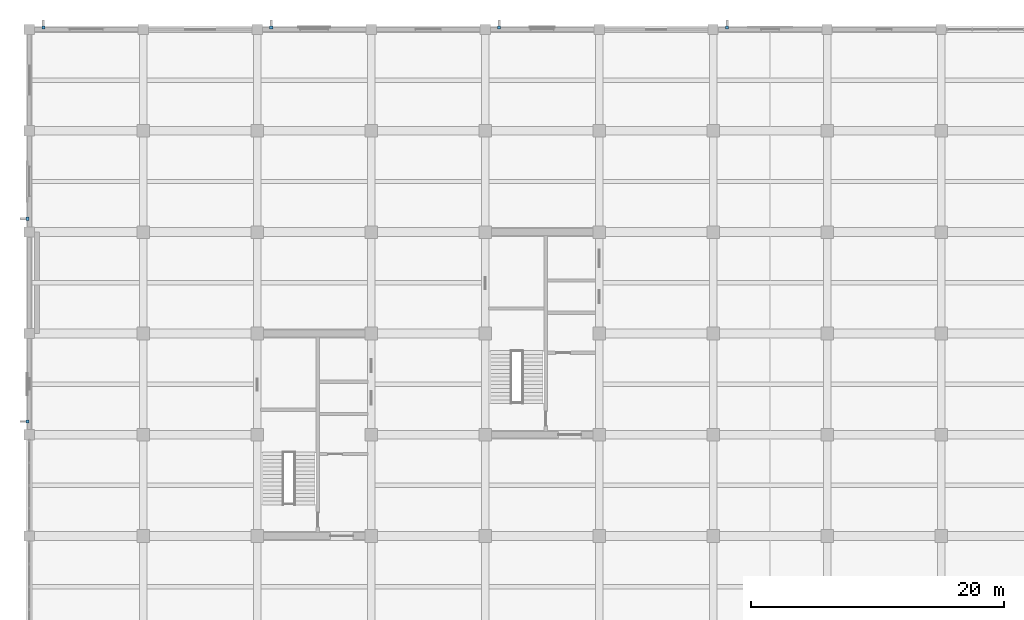
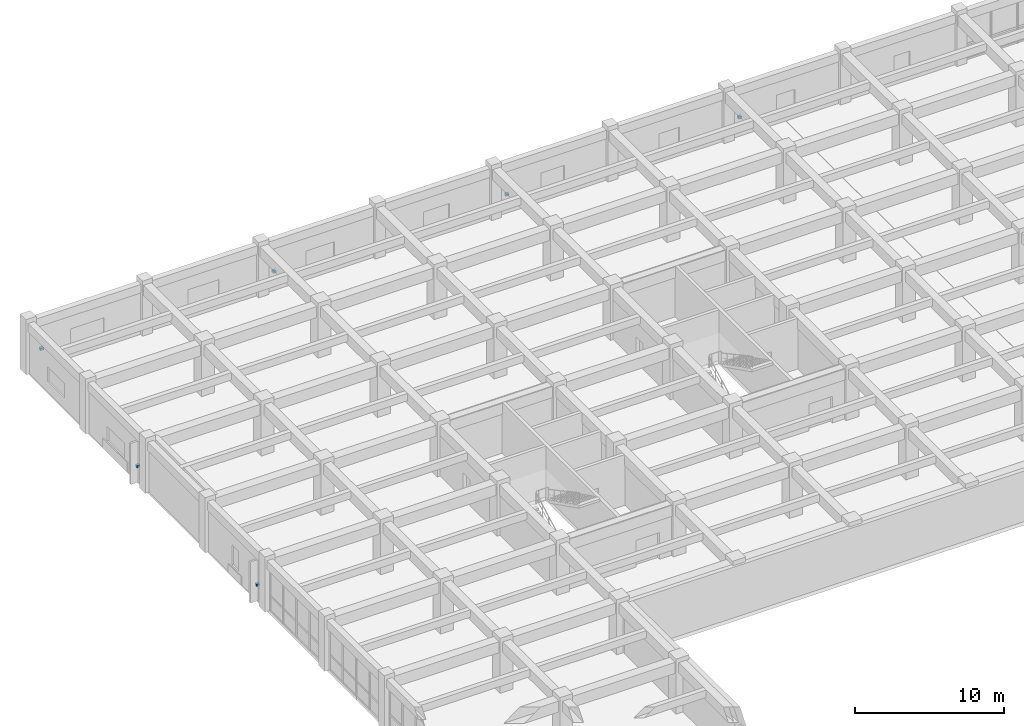
# One storey, part 38 of 50: 6 discrete accessories.
"""IFC4 building model written with IfcOpenShell, lengths in metres."""

from ifc_helpers import new_model, si_unit, direction, frame, origin, origin_2d, place, context, subcontext, project, spatial, rectangle, extrude, material, layer, layer_set, type_object, element, save


model = new_model("IFC4")

# Units and contexts
model_context = context("Model", 3, precision=1e-05, world=origin(), true_north=direction((0.0, 1.0)))
body_context = subcontext(model_context, "Body", "Model", "MODEL_VIEW")
ifc_project = project(units=[si_unit("LENGTHUNIT", "METRE"), si_unit("AREAUNIT", "SQUARE_METRE"), si_unit("VOLUMEUNIT", "CUBIC_METRE"), si_unit("PLANEANGLEUNIT", "RADIAN"), si_unit("MASSUNIT", "GRAM", prefix="KILO")], contexts=[model_context])

# Site, building, storey
site_placement = place(None, origin())
site = spatial("IfcSite", under=ifc_project, at=site_placement, CompositionType="ELEMENT")
building_placement = place(site_placement, origin())
building = spatial("IfcBuilding", under=site, at=building_placement, Name="Zaverband Oceanarium and Marine Research Institute", CompositionType="ELEMENT")
storey_placement = place(building_placement, frame((0.0, 0.0, 9.0)))
storey = spatial("IfcBuildingStorey", under=building, at=storey_placement, Name="L02", CompositionType="ELEMENT", Elevation=9.0)

# Discrete accessories
ifc_material = material(Name="Steel S355", Category="steel")
ifc_layer = layer(ifc_material, 0.179931640625, Name="Steel S355")
ifc_layer_set = layer_set([ifc_layer], Name="Steel S355")
discrete_accessory_type = type_object("IfcDiscreteAccessoryType", Name="BRK-STL-200", PredefinedType="BRACKET", material=ifc_layer_set)
for number, where, z_axis, x_axis, name in (
    (1, (1.10498046875, 120.14501953125, 1.22021484375), (0.0, 0.0, 1.0), (1.0, 0.0, 0.0), "Galvanized steel facade fin structural bracket BRK-STL-200"),
    (2, (19.10498046875, 120.169921875, 1.22021484375), (0.0, 0.0, 1.0), (1.0, 0.0, 0.0), "Galvanized steel facade fin structural bracket BRK-STL-200"),
    (3, (37.10498046875, 120.14501953125, 1.22021484375), (0.0, 0.0, 1.0), (1.0, 0.0, 0.0), "Galvanized steel facade fin structural bracket BRK-STL-200"),
    (4, (55.10498046875, 120.169921875, 1.22021484375), (0.0, 0.0, 1.0), (1.0, 0.0, 0.0), "Galvanized steel facade fin structural bracket BRK-STL-200"),
    (5, (-0.14501953125, 89.054931640625, 1.22021484375), (0.0, 0.0, 1.0), (1.0, 0.0, 0.0), "Galvanized steel facade fin structural bracket BRK-STL-200"),
    (6, (-0.155029296875, 105.054931640625, 1.22021484375), (0.0, 0.0, 1.0), (1.0, 0.0, 0.0), "Galvanized steel facade fin structural bracket BRK-STL-200"),
):
    element("IfcDiscreteAccessory", number, at=place(storey_placement, frame(where, z_axis=z_axis, x_axis=x_axis)), inside=storey, type_object=discrete_accessory_type, Name=name, PredefinedType="BRACKET", context=body_context, shape_type="SweptSolid", body=[
        extrude(rectangle(XDim=0.239990234375, YDim=0.239990234375, at=origin_2d()), origin(), (0.0, 0.0, 1.0), 0.179931640625),
    ])

save(model, "model.ifc")
